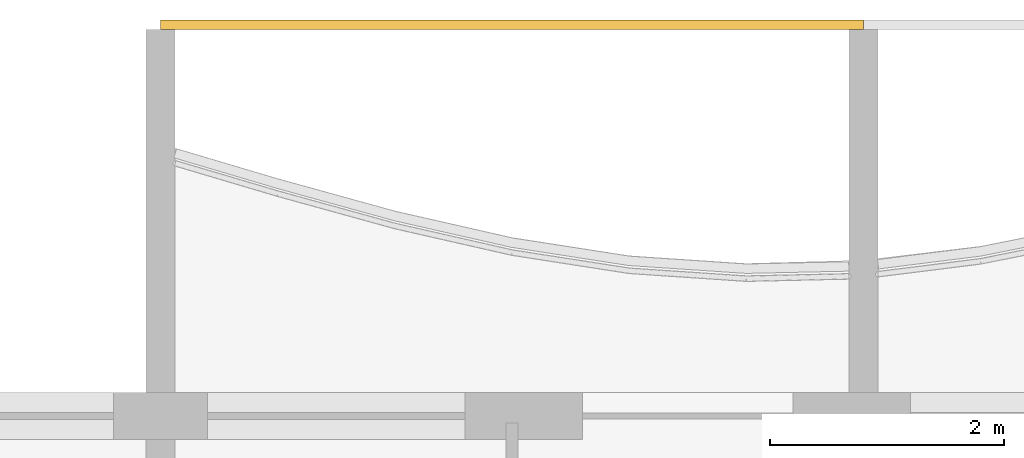
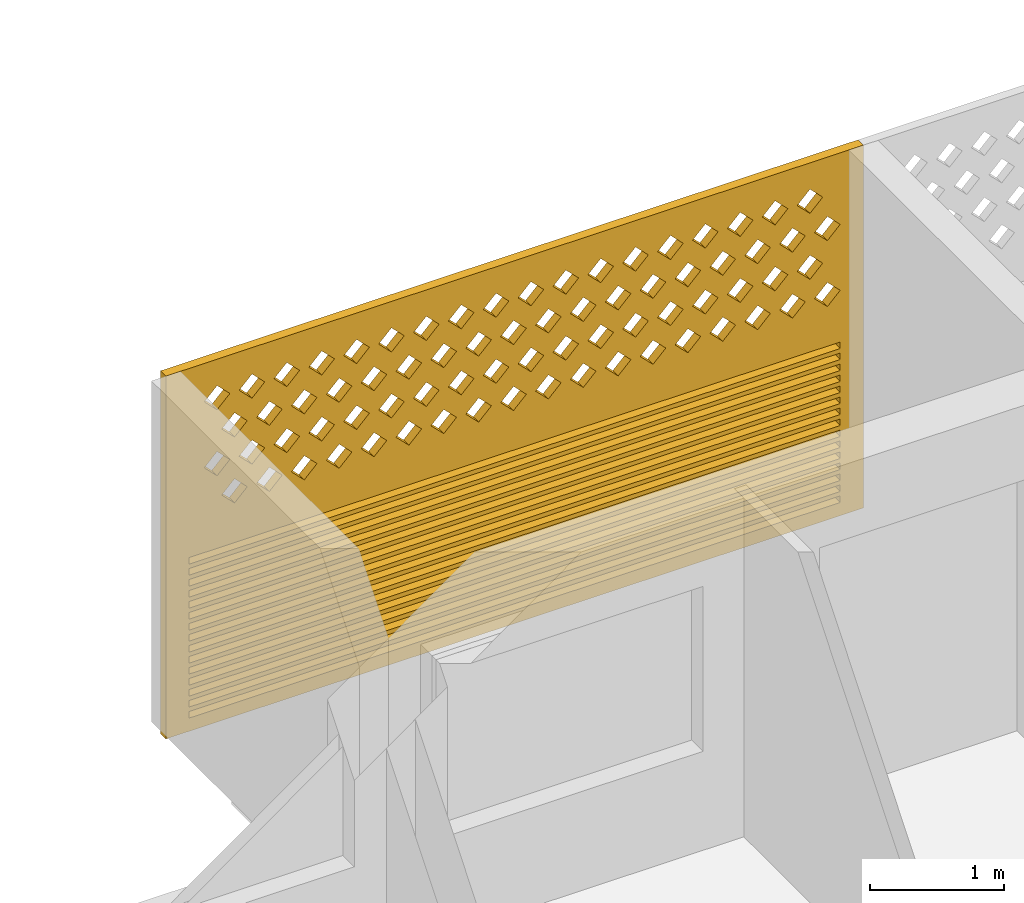
# One storey, part 17 of 27: 1 covering.
"""IFC4 building model written with IfcOpenShell, lengths in metres."""

from ifc_helpers import new_model, si_unit, direction, frame, origin, place, context, subcontext, project, spatial, polyline, outline, extrude, source, transform, mapped, material, material_profile, profile_set, type_object, element, save


model = new_model("IFC4")

# Units and contexts
model_context = context("Model", 3, precision=1e-05, world=origin(), true_north=direction((0.0, 1.0)))
body_context = subcontext(model_context, "Body", "Model", "MODEL_VIEW")
ifc_project = project(units=[si_unit("LENGTHUNIT", "METRE"), si_unit("AREAUNIT", "SQUARE_METRE"), si_unit("VOLUMEUNIT", "CUBIC_METRE"), si_unit("PLANEANGLEUNIT", "RADIAN"), si_unit("MASSUNIT", "GRAM", prefix="KILO")], contexts=[model_context])

# Site, building, storey
site_placement = place(None, origin())
site = spatial("IfcSite", under=ifc_project, at=site_placement, CompositionType="ELEMENT")
building_placement = place(site_placement, origin())
building = spatial("IfcBuilding", under=site, at=building_placement, Name="Poui Terraces", CompositionType="ELEMENT")
storey_placement = place(building_placement, frame((0.0, 0.0, 254.39990234375)))
storey = spatial("IfcBuildingStorey", under=building, at=storey_placement, Name="L71", CompositionType="ELEMENT", Elevation=254.39990234375)

# Covering
ifc_material = material(Name="Terracotta screen", Category="masonry")
ifc_material_profile = material_profile(ifc_material, outline(polyline([(-3.0, -1.64990234375), (3.0, -1.64990234375), (3.0, 1.64990234375), (-3.0, 1.64990234375), (-3.0, -1.64990234375)]), holes=[polyline([(-2.800048828125, 0.39990234375), (-2.68994140625, 0.2900390625), (-2.580078125, 0.39990234375), (-2.68994140625, 0.510009765625), (-2.800048828125, 0.39990234375)]), polyline([(-2.5, 0.39990234375), (-2.389892578125, 0.2900390625), (-2.280029296875, 0.39990234375), (-2.389892578125, 0.510009765625), (-2.5, 0.39990234375)]), polyline([(-2.199951171875, 0.39990234375), (-2.090087890625, 0.2900390625), (-1.97998046875, 0.39990234375), (-2.090087890625, 0.510009765625), (-2.199951171875, 0.39990234375)]), polyline([(-1.89990234375, 0.39990234375), (-1.7900390625, 0.2900390625), (-1.679931640625, 0.39990234375), (-1.7900390625, 0.510009765625), (-1.89990234375, 0.39990234375)]), polyline([(-1.60009765625, 0.39990234375), (-1.489990234375, 0.2900390625), (-1.3798828125, 0.39990234375), (-1.489990234375, 0.510009765625), (-1.60009765625, 0.39990234375)]), polyline([(-1.300048828125, 0.39990234375), (-1.18994140625, 0.2900390625), (-1.080078125, 0.39990234375), (-1.18994140625, 0.510009765625), (-1.300048828125, 0.39990234375)]), polyline([(-1.0, 0.39990234375), (-0.889892578125, 0.2900390625), (-0.780029296875, 0.39990234375), (-0.889892578125, 0.510009765625), (-1.0, 0.39990234375)]), polyline([(-0.699951171875, 0.39990234375), (-0.590087890625, 0.2900390625), (-0.47998046875, 0.39990234375), (-0.590087890625, 0.510009765625), (-0.699951171875, 0.39990234375)]), polyline([(-0.39990234375, 0.39990234375), (-0.2900390625, 0.2900390625), (-0.179931640625, 0.39990234375), (-0.2900390625, 0.510009765625), (-0.39990234375, 0.39990234375)]), polyline([(-0.10009765625, 0.39990234375), (0.010009765625, 0.2900390625), (0.1201171875, 0.39990234375), (0.010009765625, 0.510009765625), (-0.10009765625, 0.39990234375)]), polyline([(0.199951171875, 0.39990234375), (0.31005859375, 0.2900390625), (0.419921875, 0.39990234375), (0.31005859375, 0.510009765625), (0.199951171875, 0.39990234375)]), polyline([(0.5, 0.39990234375), (0.610107421875, 0.2900390625), (0.719970703125, 0.39990234375), (0.610107421875, 0.510009765625), (0.5, 0.39990234375)]), polyline([(0.800048828125, 0.39990234375), (0.909912109375, 0.2900390625), (1.02001953125, 0.39990234375), (0.909912109375, 0.510009765625), (0.800048828125, 0.39990234375)]), polyline([(1.10009765625, 0.39990234375), (1.2099609375, 0.2900390625), (1.320068359375, 0.39990234375), (1.2099609375, 0.510009765625), (1.10009765625, 0.39990234375)]), polyline([(1.39990234375, 0.39990234375), (1.510009765625, 0.2900390625), (1.6201171875, 0.39990234375), (1.510009765625, 0.510009765625), (1.39990234375, 0.39990234375)]), polyline([(1.699951171875, 0.39990234375), (1.81005859375, 0.2900390625), (1.919921875, 0.39990234375), (1.81005859375, 0.510009765625), (1.699951171875, 0.39990234375)]), polyline([(2.0, 0.39990234375), (2.110107421875, 0.2900390625), (2.219970703125, 0.39990234375), (2.110107421875, 0.510009765625), (2.0, 0.39990234375)]), polyline([(2.300048828125, 0.39990234375), (2.409912109375, 0.2900390625), (2.52001953125, 0.39990234375), (2.409912109375, 0.510009765625), (2.300048828125, 0.39990234375)]), polyline([(-2.64990234375, 0.699951171875), (-2.5400390625, 0.590087890625), (-2.429931640625, 0.699951171875), (-2.5400390625, 0.81005859375), (-2.64990234375, 0.699951171875)]), polyline([(-2.35009765625, 0.699951171875), (-2.239990234375, 0.590087890625), (-2.1298828125, 0.699951171875), (-2.239990234375, 0.81005859375), (-2.35009765625, 0.699951171875)]), polyline([(-2.050048828125, 0.699951171875), (-1.93994140625, 0.590087890625), (-1.830078125, 0.699951171875), (-1.93994140625, 0.81005859375), (-2.050048828125, 0.699951171875)]), polyline([(-1.75, 0.699951171875), (-1.639892578125, 0.590087890625), (-1.530029296875, 0.699951171875), (-1.639892578125, 0.81005859375), (-1.75, 0.699951171875)]), polyline([(-1.449951171875, 0.699951171875), (-1.340087890625, 0.590087890625), (-1.22998046875, 0.699951171875), (-1.340087890625, 0.81005859375), (-1.449951171875, 0.699951171875)]), polyline([(-1.14990234375, 0.699951171875), (-1.0400390625, 0.590087890625), (-0.929931640625, 0.699951171875), (-1.0400390625, 0.81005859375), (-1.14990234375, 0.699951171875)]), polyline([(-0.85009765625, 0.699951171875), (-0.739990234375, 0.590087890625), (-0.6298828125, 0.699951171875), (-0.739990234375, 0.81005859375), (-0.85009765625, 0.699951171875)]), polyline([(-0.550048828125, 0.699951171875), (-0.43994140625, 0.590087890625), (-0.330078125, 0.699951171875), (-0.43994140625, 0.81005859375), (-0.550048828125, 0.699951171875)]), polyline([(-0.25, 0.699951171875), (-0.139892578125, 0.590087890625), (-0.030029296875, 0.699951171875), (-0.139892578125, 0.81005859375), (-0.25, 0.699951171875)]), polyline([(0.050048828125, 0.699951171875), (0.159912109375, 0.590087890625), (0.27001953125, 0.699951171875), (0.159912109375, 0.81005859375), (0.050048828125, 0.699951171875)]), polyline([(0.35009765625, 0.699951171875), (0.4599609375, 0.590087890625), (0.570068359375, 0.699951171875), (0.4599609375, 0.81005859375), (0.35009765625, 0.699951171875)]), polyline([(0.64990234375, 0.699951171875), (0.760009765625, 0.590087890625), (0.8701171875, 0.699951171875), (0.760009765625, 0.81005859375), (0.64990234375, 0.699951171875)]), polyline([(0.949951171875, 0.699951171875), (1.06005859375, 0.590087890625), (1.169921875, 0.699951171875), (1.06005859375, 0.81005859375), (0.949951171875, 0.699951171875)]), polyline([(1.25, 0.699951171875), (1.360107421875, 0.590087890625), (1.469970703125, 0.699951171875), (1.360107421875, 0.81005859375), (1.25, 0.699951171875)]), polyline([(1.550048828125, 0.699951171875), (1.659912109375, 0.590087890625), (1.77001953125, 0.699951171875), (1.659912109375, 0.81005859375), (1.550048828125, 0.699951171875)]), polyline([(1.85009765625, 0.699951171875), (1.9599609375, 0.590087890625), (2.070068359375, 0.699951171875), (1.9599609375, 0.81005859375), (1.85009765625, 0.699951171875)]), polyline([(2.14990234375, 0.699951171875), (2.260009765625, 0.590087890625), (2.3701171875, 0.699951171875), (2.260009765625, 0.81005859375), (2.14990234375, 0.699951171875)]), polyline([(2.449951171875, 0.699951171875), (2.56005859375, 0.590087890625), (2.669921875, 0.699951171875), (2.56005859375, 0.81005859375), (2.449951171875, 0.699951171875)]), polyline([(-2.800048828125, 1.0), (-2.68994140625, 0.889892578125), (-2.580078125, 1.0), (-2.68994140625, 1.110107421875), (-2.800048828125, 1.0)]), polyline([(-2.5, 1.0), (-2.389892578125, 0.889892578125), (-2.280029296875, 1.0), (-2.389892578125, 1.110107421875), (-2.5, 1.0)]), polyline([(-2.199951171875, 1.0), (-2.090087890625, 0.889892578125), (-1.97998046875, 1.0), (-2.090087890625, 1.110107421875), (-2.199951171875, 1.0)]), polyline([(-1.89990234375, 1.0), (-1.7900390625, 0.889892578125), (-1.679931640625, 1.0), (-1.7900390625, 1.110107421875), (-1.89990234375, 1.0)]), polyline([(-1.60009765625, 1.0), (-1.489990234375, 0.889892578125), (-1.3798828125, 1.0), (-1.489990234375, 1.110107421875), (-1.60009765625, 1.0)]), polyline([(-1.300048828125, 1.0), (-1.18994140625, 0.889892578125), (-1.080078125, 1.0), (-1.18994140625, 1.110107421875), (-1.300048828125, 1.0)]), polyline([(-1.0, 1.0), (-0.889892578125, 0.889892578125), (-0.780029296875, 1.0), (-0.889892578125, 1.110107421875), (-1.0, 1.0)]), polyline([(-0.699951171875, 1.0), (-0.590087890625, 0.889892578125), (-0.47998046875, 1.0), (-0.590087890625, 1.110107421875), (-0.699951171875, 1.0)]), polyline([(-0.39990234375, 1.0), (-0.2900390625, 0.889892578125), (-0.179931640625, 1.0), (-0.2900390625, 1.110107421875), (-0.39990234375, 1.0)]), polyline([(-0.10009765625, 1.0), (0.010009765625, 0.889892578125), (0.1201171875, 1.0), (0.010009765625, 1.110107421875), (-0.10009765625, 1.0)]), polyline([(0.199951171875, 1.0), (0.31005859375, 0.889892578125), (0.419921875, 1.0), (0.31005859375, 1.110107421875), (0.199951171875, 1.0)]), polyline([(0.5, 1.0), (0.610107421875, 0.889892578125), (0.719970703125, 1.0), (0.610107421875, 1.110107421875), (0.5, 1.0)]), polyline([(0.800048828125, 1.0), (0.909912109375, 0.889892578125), (1.02001953125, 1.0), (0.909912109375, 1.110107421875), (0.800048828125, 1.0)]), polyline([(1.10009765625, 1.0), (1.2099609375, 0.889892578125), (1.320068359375, 1.0), (1.2099609375, 1.110107421875), (1.10009765625, 1.0)]), polyline([(1.39990234375, 1.0), (1.510009765625, 0.889892578125), (1.6201171875, 1.0), (1.510009765625, 1.110107421875), (1.39990234375, 1.0)]), polyline([(1.699951171875, 1.0), (1.81005859375, 0.889892578125), (1.919921875, 1.0), (1.81005859375, 1.110107421875), (1.699951171875, 1.0)]), polyline([(2.0, 1.0), (2.110107421875, 0.889892578125), (2.219970703125, 1.0), (2.110107421875, 1.110107421875), (2.0, 1.0)]), polyline([(2.300048828125, 1.0), (2.409912109375, 0.889892578125), (2.52001953125, 1.0), (2.409912109375, 1.110107421875), (2.300048828125, 1.0)]), polyline([(-2.64990234375, 1.300048828125), (-2.5400390625, 1.18994140625), (-2.429931640625, 1.300048828125), (-2.5400390625, 1.409912109375), (-2.64990234375, 1.300048828125)]), polyline([(-2.35009765625, 1.300048828125), (-2.239990234375, 1.18994140625), (-2.1298828125, 1.300048828125), (-2.239990234375, 1.409912109375), (-2.35009765625, 1.300048828125)]), polyline([(-2.050048828125, 1.300048828125), (-1.93994140625, 1.18994140625), (-1.830078125, 1.300048828125), (-1.93994140625, 1.409912109375), (-2.050048828125, 1.300048828125)]), polyline([(-1.75, 1.300048828125), (-1.639892578125, 1.18994140625), (-1.530029296875, 1.300048828125), (-1.639892578125, 1.409912109375), (-1.75, 1.300048828125)]), polyline([(-1.449951171875, 1.300048828125), (-1.340087890625, 1.18994140625), (-1.22998046875, 1.300048828125), (-1.340087890625, 1.409912109375), (-1.449951171875, 1.300048828125)]), polyline([(-1.14990234375, 1.300048828125), (-1.0400390625, 1.18994140625), (-0.929931640625, 1.300048828125), (-1.0400390625, 1.409912109375), (-1.14990234375, 1.300048828125)]), polyline([(-0.85009765625, 1.300048828125), (-0.739990234375, 1.18994140625), (-0.6298828125, 1.300048828125), (-0.739990234375, 1.409912109375), (-0.85009765625, 1.300048828125)]), polyline([(-0.550048828125, 1.300048828125), (-0.43994140625, 1.18994140625), (-0.330078125, 1.300048828125), (-0.43994140625, 1.409912109375), (-0.550048828125, 1.300048828125)]), polyline([(-0.25, 1.300048828125), (-0.139892578125, 1.18994140625), (-0.030029296875, 1.300048828125), (-0.139892578125, 1.409912109375), (-0.25, 1.300048828125)]), polyline([(0.050048828125, 1.300048828125), (0.159912109375, 1.18994140625), (0.27001953125, 1.300048828125), (0.159912109375, 1.409912109375), (0.050048828125, 1.300048828125)]), polyline([(0.35009765625, 1.300048828125), (0.4599609375, 1.18994140625), (0.570068359375, 1.300048828125), (0.4599609375, 1.409912109375), (0.35009765625, 1.300048828125)]), polyline([(0.64990234375, 1.300048828125), (0.760009765625, 1.18994140625), (0.8701171875, 1.300048828125), (0.760009765625, 1.409912109375), (0.64990234375, 1.300048828125)]), polyline([(0.949951171875, 1.300048828125), (1.06005859375, 1.18994140625), (1.169921875, 1.300048828125), (1.06005859375, 1.409912109375), (0.949951171875, 1.300048828125)]), polyline([(1.25, 1.300048828125), (1.360107421875, 1.18994140625), (1.469970703125, 1.300048828125), (1.360107421875, 1.409912109375), (1.25, 1.300048828125)]), polyline([(1.550048828125, 1.300048828125), (1.659912109375, 1.18994140625), (1.77001953125, 1.300048828125), (1.659912109375, 1.409912109375), (1.550048828125, 1.300048828125)]), polyline([(1.85009765625, 1.300048828125), (1.9599609375, 1.18994140625), (2.070068359375, 1.300048828125), (1.9599609375, 1.409912109375), (1.85009765625, 1.300048828125)]), polyline([(2.14990234375, 1.300048828125), (2.260009765625, 1.18994140625), (2.3701171875, 1.300048828125), (2.260009765625, 1.409912109375), (2.14990234375, 1.300048828125)]), polyline([(2.449951171875, 1.300048828125), (2.56005859375, 1.18994140625), (2.669921875, 1.300048828125), (2.56005859375, 1.409912109375), (2.449951171875, 1.300048828125)]), polyline([(-2.800048828125, -1.530029296875), (2.800048828125, -1.530029296875), (2.800048828125, -1.469970703125), (-2.800048828125, -1.469970703125), (-2.800048828125, -1.530029296875)]), polyline([(-2.800048828125, -1.429931640625), (2.800048828125, -1.429931640625), (2.800048828125, -1.3701171875), (-2.800048828125, -1.3701171875), (-2.800048828125, -1.429931640625)]), polyline([(-2.800048828125, -1.330078125), (2.800048828125, -1.330078125), (2.800048828125, -1.27001953125), (-2.800048828125, -1.27001953125), (-2.800048828125, -1.330078125)]), polyline([(-2.800048828125, -1.22998046875), (2.800048828125, -1.22998046875), (2.800048828125, -1.169921875), (-2.800048828125, -1.169921875), (-2.800048828125, -1.22998046875)]), polyline([(-2.800048828125, -1.1298828125), (2.800048828125, -1.1298828125), (2.800048828125, -1.070068359375), (-2.800048828125, -1.070068359375), (-2.800048828125, -1.1298828125)]), polyline([(-2.800048828125, -1.030029296875), (2.800048828125, -1.030029296875), (2.800048828125, -0.969970703125), (-2.800048828125, -0.969970703125), (-2.800048828125, -1.030029296875)]), polyline([(-2.800048828125, -0.929931640625), (2.800048828125, -0.929931640625), (2.800048828125, -0.8701171875), (-2.800048828125, -0.8701171875), (-2.800048828125, -0.929931640625)]), polyline([(-2.800048828125, -0.830078125), (2.800048828125, -0.830078125), (2.800048828125, -0.77001953125), (-2.800048828125, -0.77001953125), (-2.800048828125, -0.830078125)]), polyline([(-2.800048828125, -0.72998046875), (2.800048828125, -0.72998046875), (2.800048828125, -0.669921875), (-2.800048828125, -0.669921875), (-2.800048828125, -0.72998046875)]), polyline([(-2.800048828125, -0.6298828125), (2.800048828125, -0.6298828125), (2.800048828125, -0.570068359375), (-2.800048828125, -0.570068359375), (-2.800048828125, -0.6298828125)]), polyline([(-2.800048828125, -0.530029296875), (2.800048828125, -0.530029296875), (2.800048828125, -0.469970703125), (-2.800048828125, -0.469970703125), (-2.800048828125, -0.530029296875)]), polyline([(-2.800048828125, -0.429931640625), (2.800048828125, -0.429931640625), (2.800048828125, -0.3701171875), (-2.800048828125, -0.3701171875), (-2.800048828125, -0.429931640625)]), polyline([(-2.800048828125, -0.330078125), (2.800048828125, -0.330078125), (2.800048828125, -0.27001953125), (-2.800048828125, -0.27001953125), (-2.800048828125, -0.330078125)]), polyline([(-2.800048828125, -0.22998046875), (2.800048828125, -0.22998046875), (2.800048828125, -0.169921875), (-2.800048828125, -0.169921875), (-2.800048828125, -0.22998046875)]), polyline([(-2.800048828125, -0.1298828125), (2.800048828125, -0.1298828125), (2.800048828125, -0.070068359375), (-2.800048828125, -0.070068359375), (-2.800048828125, -0.1298828125)])]), Name="TERRACOTTA SCREEN AND JALOUSIE LOUVRE 6000X3300")
ifc_profile_set = profile_set([ifc_material_profile], Name="Terracotta screen")
covering_type = type_object("IfcCoveringType", Name="TERRACOTTA SCREEN AND JALOUSIE LOUVRE 6000X3300", PredefinedType="CLADDING", material=ifc_profile_set)
shared_shape = source(origin(), body_context, "Body", "SweptSolid", [
    extrude(outline(polyline([(-3.0, -1.64990234375), (3.0, -1.64990234375), (3.0, 1.64990234375), (-3.0, 1.64990234375), (-3.0, -1.64990234375)]), holes=[polyline([(-2.800048828125, 0.39990234375), (-2.68994140625, 0.2900390625), (-2.580078125, 0.39990234375), (-2.68994140625, 0.510009765625), (-2.800048828125, 0.39990234375)]), polyline([(-2.5, 0.39990234375), (-2.389892578125, 0.2900390625), (-2.280029296875, 0.39990234375), (-2.389892578125, 0.510009765625), (-2.5, 0.39990234375)]), polyline([(-2.199951171875, 0.39990234375), (-2.090087890625, 0.2900390625), (-1.97998046875, 0.39990234375), (-2.090087890625, 0.510009765625), (-2.199951171875, 0.39990234375)]), polyline([(-1.89990234375, 0.39990234375), (-1.7900390625, 0.2900390625), (-1.679931640625, 0.39990234375), (-1.7900390625, 0.510009765625), (-1.89990234375, 0.39990234375)]), polyline([(-1.60009765625, 0.39990234375), (-1.489990234375, 0.2900390625), (-1.3798828125, 0.39990234375), (-1.489990234375, 0.510009765625), (-1.60009765625, 0.39990234375)]), polyline([(-1.300048828125, 0.39990234375), (-1.18994140625, 0.2900390625), (-1.080078125, 0.39990234375), (-1.18994140625, 0.510009765625), (-1.300048828125, 0.39990234375)]), polyline([(-1.0, 0.39990234375), (-0.889892578125, 0.2900390625), (-0.780029296875, 0.39990234375), (-0.889892578125, 0.510009765625), (-1.0, 0.39990234375)]), polyline([(-0.699951171875, 0.39990234375), (-0.590087890625, 0.2900390625), (-0.47998046875, 0.39990234375), (-0.590087890625, 0.510009765625), (-0.699951171875, 0.39990234375)]), polyline([(-0.39990234375, 0.39990234375), (-0.2900390625, 0.2900390625), (-0.179931640625, 0.39990234375), (-0.2900390625, 0.510009765625), (-0.39990234375, 0.39990234375)]), polyline([(-0.10009765625, 0.39990234375), (0.010009765625, 0.2900390625), (0.1201171875, 0.39990234375), (0.010009765625, 0.510009765625), (-0.10009765625, 0.39990234375)]), polyline([(0.199951171875, 0.39990234375), (0.31005859375, 0.2900390625), (0.419921875, 0.39990234375), (0.31005859375, 0.510009765625), (0.199951171875, 0.39990234375)]), polyline([(0.5, 0.39990234375), (0.610107421875, 0.2900390625), (0.719970703125, 0.39990234375), (0.610107421875, 0.510009765625), (0.5, 0.39990234375)]), polyline([(0.800048828125, 0.39990234375), (0.909912109375, 0.2900390625), (1.02001953125, 0.39990234375), (0.909912109375, 0.510009765625), (0.800048828125, 0.39990234375)]), polyline([(1.10009765625, 0.39990234375), (1.2099609375, 0.2900390625), (1.320068359375, 0.39990234375), (1.2099609375, 0.510009765625), (1.10009765625, 0.39990234375)]), polyline([(1.39990234375, 0.39990234375), (1.510009765625, 0.2900390625), (1.6201171875, 0.39990234375), (1.510009765625, 0.510009765625), (1.39990234375, 0.39990234375)]), polyline([(1.699951171875, 0.39990234375), (1.81005859375, 0.2900390625), (1.919921875, 0.39990234375), (1.81005859375, 0.510009765625), (1.699951171875, 0.39990234375)]), polyline([(2.0, 0.39990234375), (2.110107421875, 0.2900390625), (2.219970703125, 0.39990234375), (2.110107421875, 0.510009765625), (2.0, 0.39990234375)]), polyline([(2.300048828125, 0.39990234375), (2.409912109375, 0.2900390625), (2.52001953125, 0.39990234375), (2.409912109375, 0.510009765625), (2.300048828125, 0.39990234375)]), polyline([(-2.64990234375, 0.699951171875), (-2.5400390625, 0.590087890625), (-2.429931640625, 0.699951171875), (-2.5400390625, 0.81005859375), (-2.64990234375, 0.699951171875)]), polyline([(-2.35009765625, 0.699951171875), (-2.239990234375, 0.590087890625), (-2.1298828125, 0.699951171875), (-2.239990234375, 0.81005859375), (-2.35009765625, 0.699951171875)]), polyline([(-2.050048828125, 0.699951171875), (-1.93994140625, 0.590087890625), (-1.830078125, 0.699951171875), (-1.93994140625, 0.81005859375), (-2.050048828125, 0.699951171875)]), polyline([(-1.75, 0.699951171875), (-1.639892578125, 0.590087890625), (-1.530029296875, 0.699951171875), (-1.639892578125, 0.81005859375), (-1.75, 0.699951171875)]), polyline([(-1.449951171875, 0.699951171875), (-1.340087890625, 0.590087890625), (-1.22998046875, 0.699951171875), (-1.340087890625, 0.81005859375), (-1.449951171875, 0.699951171875)]), polyline([(-1.14990234375, 0.699951171875), (-1.0400390625, 0.590087890625), (-0.929931640625, 0.699951171875), (-1.0400390625, 0.81005859375), (-1.14990234375, 0.699951171875)]), polyline([(-0.85009765625, 0.699951171875), (-0.739990234375, 0.590087890625), (-0.6298828125, 0.699951171875), (-0.739990234375, 0.81005859375), (-0.85009765625, 0.699951171875)]), polyline([(-0.550048828125, 0.699951171875), (-0.43994140625, 0.590087890625), (-0.330078125, 0.699951171875), (-0.43994140625, 0.81005859375), (-0.550048828125, 0.699951171875)]), polyline([(-0.25, 0.699951171875), (-0.139892578125, 0.590087890625), (-0.030029296875, 0.699951171875), (-0.139892578125, 0.81005859375), (-0.25, 0.699951171875)]), polyline([(0.050048828125, 0.699951171875), (0.159912109375, 0.590087890625), (0.27001953125, 0.699951171875), (0.159912109375, 0.81005859375), (0.050048828125, 0.699951171875)]), polyline([(0.35009765625, 0.699951171875), (0.4599609375, 0.590087890625), (0.570068359375, 0.699951171875), (0.4599609375, 0.81005859375), (0.35009765625, 0.699951171875)]), polyline([(0.64990234375, 0.699951171875), (0.760009765625, 0.590087890625), (0.8701171875, 0.699951171875), (0.760009765625, 0.81005859375), (0.64990234375, 0.699951171875)]), polyline([(0.949951171875, 0.699951171875), (1.06005859375, 0.590087890625), (1.169921875, 0.699951171875), (1.06005859375, 0.81005859375), (0.949951171875, 0.699951171875)]), polyline([(1.25, 0.699951171875), (1.360107421875, 0.590087890625), (1.469970703125, 0.699951171875), (1.360107421875, 0.81005859375), (1.25, 0.699951171875)]), polyline([(1.550048828125, 0.699951171875), (1.659912109375, 0.590087890625), (1.77001953125, 0.699951171875), (1.659912109375, 0.81005859375), (1.550048828125, 0.699951171875)]), polyline([(1.85009765625, 0.699951171875), (1.9599609375, 0.590087890625), (2.070068359375, 0.699951171875), (1.9599609375, 0.81005859375), (1.85009765625, 0.699951171875)]), polyline([(2.14990234375, 0.699951171875), (2.260009765625, 0.590087890625), (2.3701171875, 0.699951171875), (2.260009765625, 0.81005859375), (2.14990234375, 0.699951171875)]), polyline([(2.449951171875, 0.699951171875), (2.56005859375, 0.590087890625), (2.669921875, 0.699951171875), (2.56005859375, 0.81005859375), (2.449951171875, 0.699951171875)]), polyline([(-2.800048828125, 1.0), (-2.68994140625, 0.889892578125), (-2.580078125, 1.0), (-2.68994140625, 1.110107421875), (-2.800048828125, 1.0)]), polyline([(-2.5, 1.0), (-2.389892578125, 0.889892578125), (-2.280029296875, 1.0), (-2.389892578125, 1.110107421875), (-2.5, 1.0)]), polyline([(-2.199951171875, 1.0), (-2.090087890625, 0.889892578125), (-1.97998046875, 1.0), (-2.090087890625, 1.110107421875), (-2.199951171875, 1.0)]), polyline([(-1.89990234375, 1.0), (-1.7900390625, 0.889892578125), (-1.679931640625, 1.0), (-1.7900390625, 1.110107421875), (-1.89990234375, 1.0)]), polyline([(-1.60009765625, 1.0), (-1.489990234375, 0.889892578125), (-1.3798828125, 1.0), (-1.489990234375, 1.110107421875), (-1.60009765625, 1.0)]), polyline([(-1.300048828125, 1.0), (-1.18994140625, 0.889892578125), (-1.080078125, 1.0), (-1.18994140625, 1.110107421875), (-1.300048828125, 1.0)]), polyline([(-1.0, 1.0), (-0.889892578125, 0.889892578125), (-0.780029296875, 1.0), (-0.889892578125, 1.110107421875), (-1.0, 1.0)]), polyline([(-0.699951171875, 1.0), (-0.590087890625, 0.889892578125), (-0.47998046875, 1.0), (-0.590087890625, 1.110107421875), (-0.699951171875, 1.0)]), polyline([(-0.39990234375, 1.0), (-0.2900390625, 0.889892578125), (-0.179931640625, 1.0), (-0.2900390625, 1.110107421875), (-0.39990234375, 1.0)]), polyline([(-0.10009765625, 1.0), (0.010009765625, 0.889892578125), (0.1201171875, 1.0), (0.010009765625, 1.110107421875), (-0.10009765625, 1.0)]), polyline([(0.199951171875, 1.0), (0.31005859375, 0.889892578125), (0.419921875, 1.0), (0.31005859375, 1.110107421875), (0.199951171875, 1.0)]), polyline([(0.5, 1.0), (0.610107421875, 0.889892578125), (0.719970703125, 1.0), (0.610107421875, 1.110107421875), (0.5, 1.0)]), polyline([(0.800048828125, 1.0), (0.909912109375, 0.889892578125), (1.02001953125, 1.0), (0.909912109375, 1.110107421875), (0.800048828125, 1.0)]), polyline([(1.10009765625, 1.0), (1.2099609375, 0.889892578125), (1.320068359375, 1.0), (1.2099609375, 1.110107421875), (1.10009765625, 1.0)]), polyline([(1.39990234375, 1.0), (1.510009765625, 0.889892578125), (1.6201171875, 1.0), (1.510009765625, 1.110107421875), (1.39990234375, 1.0)]), polyline([(1.699951171875, 1.0), (1.81005859375, 0.889892578125), (1.919921875, 1.0), (1.81005859375, 1.110107421875), (1.699951171875, 1.0)]), polyline([(2.0, 1.0), (2.110107421875, 0.889892578125), (2.219970703125, 1.0), (2.110107421875, 1.110107421875), (2.0, 1.0)]), polyline([(2.300048828125, 1.0), (2.409912109375, 0.889892578125), (2.52001953125, 1.0), (2.409912109375, 1.110107421875), (2.300048828125, 1.0)]), polyline([(-2.64990234375, 1.300048828125), (-2.5400390625, 1.18994140625), (-2.429931640625, 1.300048828125), (-2.5400390625, 1.409912109375), (-2.64990234375, 1.300048828125)]), polyline([(-2.35009765625, 1.300048828125), (-2.239990234375, 1.18994140625), (-2.1298828125, 1.300048828125), (-2.239990234375, 1.409912109375), (-2.35009765625, 1.300048828125)]), polyline([(-2.050048828125, 1.300048828125), (-1.93994140625, 1.18994140625), (-1.830078125, 1.300048828125), (-1.93994140625, 1.409912109375), (-2.050048828125, 1.300048828125)]), polyline([(-1.75, 1.300048828125), (-1.639892578125, 1.18994140625), (-1.530029296875, 1.300048828125), (-1.639892578125, 1.409912109375), (-1.75, 1.300048828125)]), polyline([(-1.449951171875, 1.300048828125), (-1.340087890625, 1.18994140625), (-1.22998046875, 1.300048828125), (-1.340087890625, 1.409912109375), (-1.449951171875, 1.300048828125)]), polyline([(-1.14990234375, 1.300048828125), (-1.0400390625, 1.18994140625), (-0.929931640625, 1.300048828125), (-1.0400390625, 1.409912109375), (-1.14990234375, 1.300048828125)]), polyline([(-0.85009765625, 1.300048828125), (-0.739990234375, 1.18994140625), (-0.6298828125, 1.300048828125), (-0.739990234375, 1.409912109375), (-0.85009765625, 1.300048828125)]), polyline([(-0.550048828125, 1.300048828125), (-0.43994140625, 1.18994140625), (-0.330078125, 1.300048828125), (-0.43994140625, 1.409912109375), (-0.550048828125, 1.300048828125)]), polyline([(-0.25, 1.300048828125), (-0.139892578125, 1.18994140625), (-0.030029296875, 1.300048828125), (-0.139892578125, 1.409912109375), (-0.25, 1.300048828125)]), polyline([(0.050048828125, 1.300048828125), (0.159912109375, 1.18994140625), (0.27001953125, 1.300048828125), (0.159912109375, 1.409912109375), (0.050048828125, 1.300048828125)]), polyline([(0.35009765625, 1.300048828125), (0.4599609375, 1.18994140625), (0.570068359375, 1.300048828125), (0.4599609375, 1.409912109375), (0.35009765625, 1.300048828125)]), polyline([(0.64990234375, 1.300048828125), (0.760009765625, 1.18994140625), (0.8701171875, 1.300048828125), (0.760009765625, 1.409912109375), (0.64990234375, 1.300048828125)]), polyline([(0.949951171875, 1.300048828125), (1.06005859375, 1.18994140625), (1.169921875, 1.300048828125), (1.06005859375, 1.409912109375), (0.949951171875, 1.300048828125)]), polyline([(1.25, 1.300048828125), (1.360107421875, 1.18994140625), (1.469970703125, 1.300048828125), (1.360107421875, 1.409912109375), (1.25, 1.300048828125)]), polyline([(1.550048828125, 1.300048828125), (1.659912109375, 1.18994140625), (1.77001953125, 1.300048828125), (1.659912109375, 1.409912109375), (1.550048828125, 1.300048828125)]), polyline([(1.85009765625, 1.300048828125), (1.9599609375, 1.18994140625), (2.070068359375, 1.300048828125), (1.9599609375, 1.409912109375), (1.85009765625, 1.300048828125)]), polyline([(2.14990234375, 1.300048828125), (2.260009765625, 1.18994140625), (2.3701171875, 1.300048828125), (2.260009765625, 1.409912109375), (2.14990234375, 1.300048828125)]), polyline([(2.449951171875, 1.300048828125), (2.56005859375, 1.18994140625), (2.669921875, 1.300048828125), (2.56005859375, 1.409912109375), (2.449951171875, 1.300048828125)]), polyline([(-2.800048828125, -1.530029296875), (2.800048828125, -1.530029296875), (2.800048828125, -1.469970703125), (-2.800048828125, -1.469970703125), (-2.800048828125, -1.530029296875)]), polyline([(-2.800048828125, -1.429931640625), (2.800048828125, -1.429931640625), (2.800048828125, -1.3701171875), (-2.800048828125, -1.3701171875), (-2.800048828125, -1.429931640625)]), polyline([(-2.800048828125, -1.330078125), (2.800048828125, -1.330078125), (2.800048828125, -1.27001953125), (-2.800048828125, -1.27001953125), (-2.800048828125, -1.330078125)]), polyline([(-2.800048828125, -1.22998046875), (2.800048828125, -1.22998046875), (2.800048828125, -1.169921875), (-2.800048828125, -1.169921875), (-2.800048828125, -1.22998046875)]), polyline([(-2.800048828125, -1.1298828125), (2.800048828125, -1.1298828125), (2.800048828125, -1.070068359375), (-2.800048828125, -1.070068359375), (-2.800048828125, -1.1298828125)]), polyline([(-2.800048828125, -1.030029296875), (2.800048828125, -1.030029296875), (2.800048828125, -0.969970703125), (-2.800048828125, -0.969970703125), (-2.800048828125, -1.030029296875)]), polyline([(-2.800048828125, -0.929931640625), (2.800048828125, -0.929931640625), (2.800048828125, -0.8701171875), (-2.800048828125, -0.8701171875), (-2.800048828125, -0.929931640625)]), polyline([(-2.800048828125, -0.830078125), (2.800048828125, -0.830078125), (2.800048828125, -0.77001953125), (-2.800048828125, -0.77001953125), (-2.800048828125, -0.830078125)]), polyline([(-2.800048828125, -0.72998046875), (2.800048828125, -0.72998046875), (2.800048828125, -0.669921875), (-2.800048828125, -0.669921875), (-2.800048828125, -0.72998046875)]), polyline([(-2.800048828125, -0.6298828125), (2.800048828125, -0.6298828125), (2.800048828125, -0.570068359375), (-2.800048828125, -0.570068359375), (-2.800048828125, -0.6298828125)]), polyline([(-2.800048828125, -0.530029296875), (2.800048828125, -0.530029296875), (2.800048828125, -0.469970703125), (-2.800048828125, -0.469970703125), (-2.800048828125, -0.530029296875)]), polyline([(-2.800048828125, -0.429931640625), (2.800048828125, -0.429931640625), (2.800048828125, -0.3701171875), (-2.800048828125, -0.3701171875), (-2.800048828125, -0.429931640625)]), polyline([(-2.800048828125, -0.330078125), (2.800048828125, -0.330078125), (2.800048828125, -0.27001953125), (-2.800048828125, -0.27001953125), (-2.800048828125, -0.330078125)]), polyline([(-2.800048828125, -0.22998046875), (2.800048828125, -0.22998046875), (2.800048828125, -0.169921875), (-2.800048828125, -0.169921875), (-2.800048828125, -0.22998046875)]), polyline([(-2.800048828125, -0.1298828125), (2.800048828125, -0.1298828125), (2.800048828125, -0.070068359375), (-2.800048828125, -0.070068359375), (-2.800048828125, -0.1298828125)])]), origin(), (0.0, 0.0, 1.0), 0.080078125),
])
covering_placement = place(storey_placement, frame((33.0, 44.5, 1.4501953125), z_axis=(0.0, 1.0, 0.0), x_axis=(-1.0, 0.0, 0.0)))
element("IfcCovering", 1, at=covering_placement, inside=storey, type_object=covering_type, Name="SOLAR SCREEN AND JALOUSIE LOUVRE", PredefinedType="CLADDING", context=body_context, shape_type="MappedRepresentation", body=[
    mapped(shared_shape, transform((0.0, 0.0, 0.0))),
])

save(model, "model.ifc")
